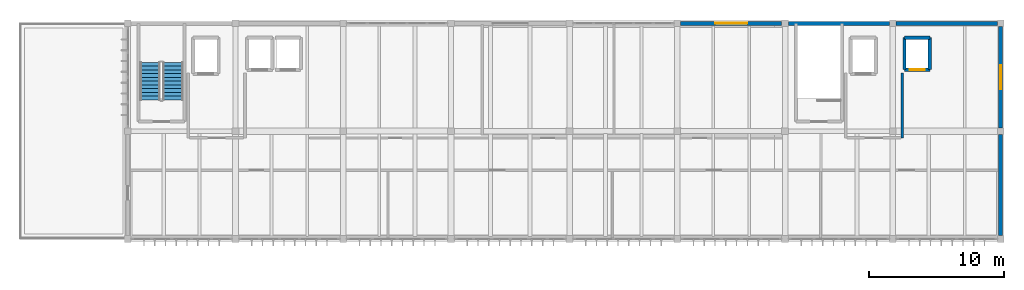
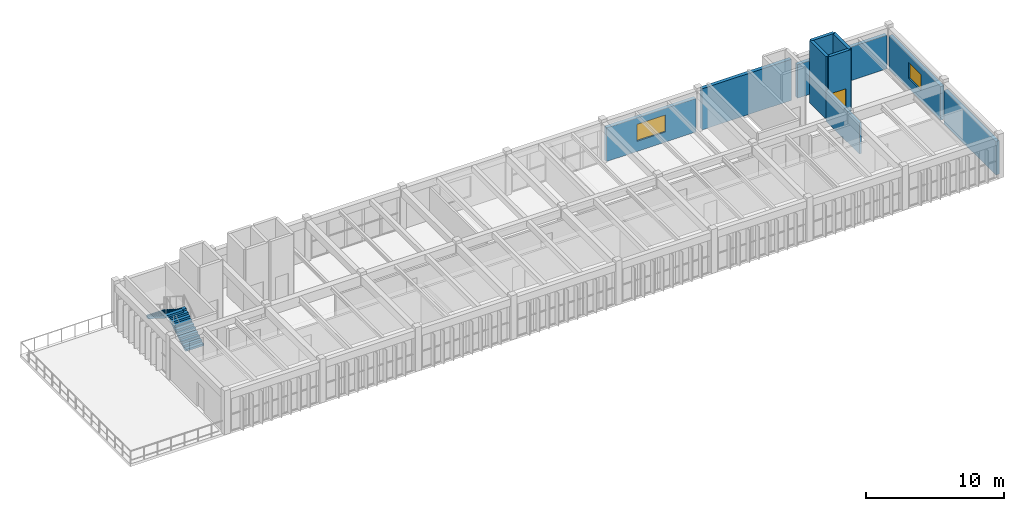
# One storey, part 10 of 12: 10 walls, 2 stair flights, 2 windows, 1 door, 3 openings, 1 element without a shape of its own.
"""IFC4 building model written with IfcOpenShell, lengths in metres."""

import ifcopenshell
import ifcopenshell.guid

model = None  # the IFC model being written
_history = None  # IfcOwnerHistory: only IFC2X3 demands one
_inside = {}  # id of a spatial element -> (the spatial element, [elements in it])
_under = {}  # id of a project, library or spatial element -> (it, [spatial elements below it])
_declared = {}  # id of a project -> (the project, [libraries it declares])
_typed = {}  # id of a type object -> (the type object, [elements of that type])
_made_of = {}  # id of a material, layer set ... -> (it, [elements and type objects made of it])


def new_model(schema):
    """Start an empty IFC model of exactly this schema.

    Asked for "IFC4X3", IfcOpenShell would pick the latest addendum, in which some entities
    have other attributes; the version numbers below select the first issue.
    IFC2X3 requires an IfcOwnerHistory on every rooted entity: one is made here for all.
    """
    global model, _history
    if schema == "IFC4X3":
        model = ifcopenshell.file(schema_version=(4, 3, 0, 0))
    else:
        model = ifcopenshell.file(schema=schema)
    _inside.clear()
    _under.clear()
    _declared.clear()
    _typed.clear()
    _made_of.clear()
    _history = None
    if model.schema == "IFC2X3":
        org = make("IfcOrganization", Name="unknown")
        user = make(
            "IfcPersonAndOrganization",
            ThePerson=make("IfcPerson", FamilyName="unknown"),
            TheOrganization=org,
        )
        app = make(
            "IfcApplication",
            ApplicationDeveloper=org,
            Version="unknown",
            ApplicationFullName="unknown",
            ApplicationIdentifier="unknown",
        )
        _history = make(
            "IfcOwnerHistory",
            OwningUser=user,
            OwningApplication=app,
            ChangeAction="ADDED",
            CreationDate=0,
        )
    return model


def make(cls, **values):
    """One entity of the class cls with the attributes given. An attribute that is None is left unset."""
    return model.create_entity(
        cls, **{name: value for name, value in values.items() if value is not None}
    )


def rooted(cls, **values):
    """An entity with a GlobalId (a new one), such as an element, a storey or a relation."""
    return make(cls, GlobalId=ifcopenshell.guid.new(), OwnerHistory=_history, **values)


def si_unit(unit_type, name, prefix=None):
    """IfcSIUnit, for example si_unit("LENGTHUNIT", "METRE", prefix="MILLI")."""
    return make("IfcSIUnit", UnitType=unit_type, Prefix=prefix, Name=name)


def assignment(units):
    """IfcUnitAssignment: the units of a project."""
    return None if units is None else make("IfcUnitAssignment", Units=units)


def point(xyz):
    """IfcCartesianPoint."""
    return None if xyz is None else make("IfcCartesianPoint", Coordinates=xyz)


def direction(xyz):
    """IfcDirection."""
    return None if xyz is None else make("IfcDirection", DirectionRatios=xyz)


def frame(location, z_axis=None, x_axis=None):
    """IfcAxis2Placement3D, a coordinate frame: its origin and axes. An axis left out is left unset."""
    return make(
        "IfcAxis2Placement3D",
        Location=point(location),
        Axis=direction(z_axis),
        RefDirection=direction(x_axis),
    )


def frame_2d(location, x_axis=None):
    """IfcAxis2Placement2D, a coordinate frame in the plane: its origin and x axis."""
    return make(
        "IfcAxis2Placement2D", Location=point(location), RefDirection=direction(x_axis)
    )


def origin():
    """The frame at (0, 0, 0) with its axes left unset."""
    return frame((0.0, 0.0, 0.0))


def place(relative_to, where):
    """IfcLocalPlacement: puts the frame where relative to a parent placement (None: the world)."""
    return make(
        "IfcLocalPlacement", PlacementRelTo=relative_to, RelativePlacement=where
    )


def context(
    kind, dimensions, precision=None, world=None, true_north=None, identifier=None
):
    """IfcGeometricRepresentationContext, for example the 3D "Model" context."""
    return make(
        "IfcGeometricRepresentationContext",
        ContextIdentifier=identifier,
        ContextType=kind,
        CoordinateSpaceDimension=dimensions,
        Precision=precision,
        WorldCoordinateSystem=world,
        TrueNorth=true_north,
    )


def subcontext(parent, identifier, kind, view, scale=None):
    """IfcGeometricRepresentationSubContext, for example "Body" below "Model"."""
    return make(
        "IfcGeometricRepresentationSubContext",
        ContextIdentifier=identifier,
        ContextType=kind,
        ParentContext=parent,
        TargetScale=scale,
        TargetView=view,
    )


def project(units=None, contexts=None):
    """IfcProject with its units and contexts."""
    return rooted(
        "IfcProject",
        Name="project",
        RepresentationContexts=contexts,
        UnitsInContext=assignment(units),
    )


def spatial(cls, under=None, at=None, **own):
    """A site, building, storey or space (cls), placed at a placement, below another one or the project."""
    s = rooted(cls, ObjectPlacement=at, **own)
    if under is not None:
        _under.setdefault(under.id(), (under, []))[1].append(s)
    return s


def polyline(points):
    """IfcPolyline through the points."""
    return make("IfcPolyline", Points=[point(p) for p in points])


def profile(cls, at=None, kind="AREA", **sizes):
    """A parametric profile (cls). Its sizes go by their IFC names, for example OverallWidth=200.0."""
    return make(cls, ProfileType=kind, Position=at, **sizes)


def rectangle(**sizes):
    """IfcRectangleProfileDef."""
    return profile("IfcRectangleProfileDef", **sizes)


def outline(outer, holes=None, kind="AREA"):
    """IfcArbitraryClosedProfileDef: a profile drawn as a closed curve; with holes, ...WithVoids."""
    if holes is None:
        return make("IfcArbitraryClosedProfileDef", ProfileType=kind, OuterCurve=outer)
    return make(
        "IfcArbitraryProfileDefWithVoids",
        ProfileType=kind,
        OuterCurve=outer,
        InnerCurves=holes,
    )


def extrude(swept, where, along, depth):
    """IfcExtrudedAreaSolid: the profile swept, set in the frame where, extruded along a direction by depth."""
    return make(
        "IfcExtrudedAreaSolid",
        SweptArea=swept,
        Position=where,
        ExtrudedDirection=direction(along),
        Depth=depth,
    )


def shape(context_of_items, identifier, shape_type, items):
    """IfcShapeRepresentation: the items that make up one representation, for example the "Body"."""
    return make(
        "IfcShapeRepresentation",
        ContextOfItems=context_of_items,
        RepresentationIdentifier=identifier,
        RepresentationType=shape_type,
        Items=items,
    )


def material(Name=None, Category=None):
    """IfcMaterial."""
    return make("IfcMaterial", Name=Name, Category=Category)


def layer(
    of_material, thickness, ventilated=None, Name=None, Category=None, Priority=None
):
    """IfcMaterialLayer: one layer of a wall or slab, of a material (None: an air gap)."""
    return make(
        "IfcMaterialLayer",
        Material=of_material,
        LayerThickness=thickness,
        IsVentilated=ventilated,
        Name=Name,
        Category=Category,
        Priority=Priority,
    )


def layer_set(layers, Name=None):
    """IfcMaterialLayerSet."""
    return make("IfcMaterialLayerSet", MaterialLayers=layers, LayerSetName=Name)


def made_of(thing, what):
    """Note that an element or type object is made of a material, layer set ...; save() writes the relation."""
    if what is not None:
        _made_of.setdefault(what.id(), (what, []))[1].append(thing)
    return thing


def type_object(cls, material=None, **own):
    """A type object (cls), such as IfcWallType, which elements share."""
    return made_of(rooted(cls, **own), material)


def element(
    cls,
    number,
    at=None,
    inside=None,
    cuts=None,
    type_object=None,
    material=None,
    context=None,
    identifier="Body",
    shape_type=None,
    held_by="IfcProductDefinitionShape",
    body=None,
    shapes=None,
    **own,
):
    """One element of the class cls, such as IfcWall. Its Tag is "e" and its number.

    at: its placement. inside: the storey or other place that contains it. cuts: it is an
    opening in that element (IfcRelVoidsElement). A single representation is given by context,
    identifier, shape_type and body (its items); several are given by shapes. held_by: the class
    of the entity that holds the representations. save() writes the other relations.
    """
    e = rooted(cls, Tag="e%d" % number, ObjectPlacement=at, **own)
    if body is not None:
        shapes = [shape(context, identifier, shape_type, body)]
    if shapes is not None:
        e.Representation = make(held_by, Representations=shapes)
    if inside is not None:
        _inside.setdefault(inside.id(), (inside, []))[1].append(e)
    if cuts is not None:
        rooted(
            "IfcRelVoidsElement", RelatingBuildingElement=cuts, RelatedOpeningElement=e
        )
    if type_object is not None:
        _typed.setdefault(type_object.id(), (type_object, []))[1].append(e)
    return made_of(e, material)


def fill(opening, filler):
    """IfcRelFillsElement: the door or window that sits in an opening."""
    return rooted(
        "IfcRelFillsElement",
        RelatingOpeningElement=opening,
        RelatedBuildingElement=filler,
    )


def aggregate(whole, parts):
    """IfcRelAggregates: a whole, such as a stair, and the parts it consists of."""
    return rooted("IfcRelAggregates", RelatingObject=whole, RelatedObjects=parts)


def save(model, path):
    """Write the relations noted so far, then the file.

    IfcRelAggregates (storeys below a building ...), IfcRelContainedInSpatialStructure (elements
    in a storey), IfcRelDefinesByType, IfcRelAssociatesMaterial and IfcRelDeclares: one each for
    every whole, place, type object, material and project.
    """
    for whole, parts in _under.values():
        aggregate(whole, parts)
    for where, things in _inside.values():
        rooted(
            "IfcRelContainedInSpatialStructure",
            RelatedElements=things,
            RelatingStructure=where,
        )
    for kind, things in _typed.values():
        rooted("IfcRelDefinesByType", RelatedObjects=things, RelatingType=kind)
    for what, things in _made_of.values():
        rooted("IfcRelAssociatesMaterial", RelatedObjects=things, RelatingMaterial=what)
    for by, libraries in _declared.values():
        rooted("IfcRelDeclares", RelatingContext=by, RelatedDefinitions=libraries)
    model.write(path)


model = new_model("IFC4")

# Units and contexts
model_context = context("Model", 3, precision=1e-05, world=origin(), true_north=direction((0.0, 1.0)))
body_context = subcontext(model_context, "Body", "Model", "MODEL_VIEW")
ifc_project = project(units=[si_unit("LENGTHUNIT", "METRE"), si_unit("AREAUNIT", "SQUARE_METRE"), si_unit("VOLUMEUNIT", "CUBIC_METRE"), si_unit("PLANEANGLEUNIT", "RADIAN"), si_unit("MASSUNIT", "GRAM", prefix="KILO")], contexts=[model_context])

# Site, building, storey
site_placement = place(None, origin())
site = spatial("IfcSite", under=ifc_project, at=site_placement, CompositionType="ELEMENT")
building_placement = place(site_placement, origin())
building = spatial("IfcBuilding", under=site, at=building_placement, Name="Tlaxcora Railside Police Headquarters", CompositionType="ELEMENT")
storey_placement = place(building_placement, frame((0.0, 0.0, 29.699951171875)))
storey = spatial("IfcBuildingStorey", under=building, at=storey_placement, Name="L07", CompositionType="ELEMENT", Elevation=29.699951171875)

# Wall
ifc_material_1 = material(Name="Pressed clay brick masonry", Category="masonry")
ifc_layer_1 = layer(ifc_material_1, 0.199951171875, Name="Pressed clay brick masonry")
ifc_layer_set_1 = layer_set([ifc_layer_1], Name="Pressed clay brick masonry")
wall_type_1 = type_object("IfcWallType", Name="Interior Partition Wall IW-60", PredefinedType="PARTITIONING", material=ifc_layer_set_1)
wall_1_placement = place(storey_placement, frame((78.699951171875, 84.300048828125, 0.0), z_axis=(0.0, 0.0, 1.0), x_axis=(0.0, 1.0, 0.0)))
element("IfcWall", 1, at=wall_1_placement, inside=storey, type_object=wall_type_1, Name="V5 L07 interior partition 254", PredefinedType="PARTITIONING", context=body_context, shape_type="SweptSolid", body=[
    extrude(rectangle(XDim=4.800048828125, YDim=0.199951171875, at=frame_2d((2.39990234375, 0.0))), origin(), (0.0, 0.0, 1.0), 2.76513671875),
])

# Wall, opening, door
ifc_material_2 = material(Name="Concrete C40/50", Category="concrete")
ifc_layer_2 = layer(ifc_material_2, 0.25, Name="Concrete C40/50")
ifc_layer_set_2 = layer_set([ifc_layer_2], Name="Concrete C40/50")
wall_type_2 = type_object("IfcWallType", Name="Shear Core Wall IW-13", PredefinedType="SHEAR", material=ifc_layer_set_2)
wall_2_placement = place(storey_placement, frame((78.860107421875, 89.360107421875, 0.0), z_axis=(0.0, 0.0, 1.0), x_axis=(1.0, 0.0, 0.0)))
wall_2 = element("IfcWall", 2, at=wall_2_placement, inside=storey, type_object=wall_type_2, Name="Lift PL-03 L07 shaft wall S", PredefinedType="SHEAR", context=body_context, shape_type="SweptSolid", body=[
    extrude(rectangle(XDim=1.8798828125, YDim=0.25, at=frame_2d((0.93994140625, 0.0))), origin(), (0.0, 0.0, 1.0), 5.52001953125),
])
opening_1_placement = place(wall_2_placement, frame((0.389892578125, 0.0, 0.0)))
opening_1 = element("IfcOpeningElement", 3, at=opening_1_placement, cuts=wall_2, Name="Opening LD-PL-03-L07", PredefinedType="OPENING", context=body_context, shape_type="SweptSolid", body=[
    extrude(rectangle(XDim=1.10009765625, YDim=2.199951171875, at=frame_2d((0.550048828125, 1.10009765625))), frame((0.0, 0.135009765625, 0.0), z_axis=(0.0, -1.0, 0.0), x_axis=(1.0, 0.0, 0.0)), (0.0, 0.0, 1.0), 0.27001953125),
])
ifc_material_3 = material(Name="Steel ASTM A992 Grade 50", Category="steel")
door_type = type_object("IfcDoorType", Name="Swing or Sliding Personnel Door ID-15", OperationType="NOTDEFINED", PredefinedType="DOOR", material=ifc_material_3)
door_placement = place(opening_1_placement, origin())
door = element("IfcDoor", 4, at=door_placement, inside=storey, type_object=door_type, Name="Lift PL-03 L07 sliding landing door", OperationType="DOUBLE_DOOR_SLIDING", OverallHeight=2.199951171875, OverallWidth=1.10009765625, PredefinedType="DOOR", context=body_context, shape_type="SweptSolid", body=[
    extrude(rectangle(XDim=1.10009765625, YDim=2.199951171875, at=frame_2d((0.550048828125, 1.10009765625))), frame((0.0, 0.02490234375, 0.0), z_axis=(0.0, -1.0, 0.0), x_axis=(1.0, 0.0, 0.0)), (0.0, 0.0, 1.0), 0.050048828125),
])
fill(opening_1, door)

# Walls
wall_3_placement = place(storey_placement, frame((80.739990234375, 89.360107421875, 0.0), z_axis=(0.0, 0.0, 1.0), x_axis=(0.0, 1.0, 0.0)))
element("IfcWall", 5, at=wall_3_placement, inside=storey, type_object=wall_type_2, Name="Lift PL-03 L07 shaft wall E", PredefinedType="SHEAR", context=body_context, shape_type="SweptSolid", body=[
    extrude(rectangle(XDim=2.3798828125, YDim=0.25, at=frame_2d((1.18994140625, 0.0))), origin(), (0.0, 0.0, 1.0), 5.52001953125),
])
wall_4_placement = place(storey_placement, frame((80.739990234375, 91.739990234375, 0.0), z_axis=(0.0, 0.0, 1.0), x_axis=(-1.0, 0.0, 0.0)))
element("IfcWall", 6, at=wall_4_placement, inside=storey, type_object=wall_type_2, Name="Lift PL-03 L07 shaft wall N", PredefinedType="SHEAR", context=body_context, shape_type="SweptSolid", body=[
    extrude(rectangle(XDim=1.8798828125, YDim=0.25, at=frame_2d((0.93994140625, 0.0))), origin(), (0.0, 0.0, 1.0), 5.52001953125),
])
wall_5_placement = place(storey_placement, frame((78.860107421875, 91.739990234375, 0.0), z_axis=(0.0, 0.0, 1.0), x_axis=(0.0, -1.0, 0.0)))
element("IfcWall", 7, at=wall_5_placement, inside=storey, type_object=wall_type_2, Name="Lift PL-03 L07 shaft wall W", PredefinedType="SHEAR", context=body_context, shape_type="SweptSolid", body=[
    extrude(rectangle(XDim=2.3798828125, YDim=0.25, at=frame_2d((1.18994140625, 0.0))), origin(), (0.0, 0.0, 1.0), 5.52001953125),
])
ifc_layer_3 = layer(ifc_material_1, 0.294921875, Name="Pressed clay brick masonry")
ifc_layer_set_3 = layer_set([ifc_layer_3], Name="Pressed clay brick masonry")
wall_type_3 = type_object("IfcWallType", Name="Structural Bearing Wall EW-74", PredefinedType="SOLIDWALL", material=ifc_layer_set_3)
wall_6_placement = place(storey_placement, frame((86.0, 77.050048828125, 0.0), z_axis=(0.0, 0.0, 1.0), x_axis=(0.0, 1.0, 0.0)))
element("IfcWall", 8, at=wall_6_placement, inside=storey, type_object=wall_type_3, Name="V5 L07 exterior wall 1.0", PredefinedType="SOLIDWALL", context=body_context, shape_type="SweptSolid", body=[
    extrude(rectangle(XDim=7.5, YDim=0.294921875, at=frame_2d((3.75, 0.0))), origin(), (0.0, 0.0, 1.0), 2.97998046875),
])

# Wall, opening, window
wall_7_placement = place(storey_placement, frame((86.0, 85.050048828125, 0.0), z_axis=(0.0, 0.0, 1.0), x_axis=(0.0, 1.0, 0.0)))
wall_7 = element("IfcWall", 9, at=wall_7_placement, inside=storey, type_object=wall_type_3, Name="V5 L07 exterior wall 1.1", PredefinedType="SOLIDWALL", context=body_context, shape_type="SweptSolid", body=[
    extrude(rectangle(XDim=7.5, YDim=0.294921875, at=frame_2d((3.75, 0.0))), origin(), (0.0, 0.0, 1.0), 2.97998046875),
])
opening_2_placement = place(wall_7_placement, frame((2.85009765625, 0.0, 0.89990234375)))
opening_2 = element("IfcOpeningElement", 10, at=opening_2_placement, cuts=wall_7, Name="Opening WN-70", PredefinedType="OPENING", context=body_context, shape_type="SweptSolid", body=[
    extrude(rectangle(XDim=1.800048828125, YDim=1.39990234375, at=frame_2d((0.89990234375, 0.699951171875))), frame((0.0, 0.157470703125, 0.0), z_axis=(0.0, -1.0, 0.0), x_axis=(1.0, 0.0, 0.0)), (0.0, 0.0, 1.0), 0.31494140625),
])
ifc_material_4 = material(Name="Thermally broken low-E insulated glazing", Category="glass")
window_type_1 = type_object("IfcWindowType", Name="Exterior Framed or Circular Window WN-70", PartitioningType="SINGLE_PANEL", PredefinedType="WINDOW", material=ifc_material_4)
window_1_placement = place(opening_2_placement, origin())
window_1 = element("IfcWindow", 11, at=window_1_placement, inside=storey, type_object=window_type_1, Name="V5 L07 window 153", OverallHeight=1.39990234375, OverallWidth=1.800048828125, PartitioningType="SINGLE_PANEL", PredefinedType="WINDOW", context=body_context, shape_type="SweptSolid", body=[
    extrude(rectangle(XDim=1.800048828125, YDim=1.39990234375, at=frame_2d((0.89990234375, 0.699951171875))), frame((0.0, 0.030029296875, 0.0), z_axis=(0.0, -1.0, 0.0), x_axis=(1.0, 0.0, 0.0)), (0.0, 0.0, 1.0), 0.06005859375),
])
fill(opening_2, window_1)

# Walls
wall_8_placement = place(storey_placement, frame((85.75, 92.800048828125, 0.0), z_axis=(0.0, 0.0, 1.0), x_axis=(-1.0, 0.0, 0.0)))
element("IfcWall", 12, at=wall_8_placement, inside=storey, type_object=wall_type_3, Name="V5 L07 exterior wall 2.0", PredefinedType="SOLIDWALL", context=body_context, shape_type="SweptSolid", body=[
    extrude(rectangle(XDim=7.5, YDim=0.294921875, at=frame_2d((3.75, 0.0))), origin(), (0.0, 0.0, 1.0), 2.97998046875),
])
wall_9_placement = place(storey_placement, frame((77.75, 92.800048828125, 0.0), z_axis=(0.0, 0.0, 1.0), x_axis=(-1.0, 0.0, 0.0)))
element("IfcWall", 13, at=wall_9_placement, inside=storey, type_object=wall_type_3, Name="V5 L07 exterior wall 2.1", PredefinedType="SOLIDWALL", context=body_context, shape_type="SweptSolid", body=[
    extrude(rectangle(XDim=7.5, YDim=0.294921875, at=frame_2d((3.75, 0.0))), origin(), (0.0, 0.0, 1.0), 3.64013671875),
])

# Wall, opening, window
wall_10_placement = place(storey_placement, frame((69.75, 92.800048828125, 0.0), z_axis=(0.0, 0.0, 1.0), x_axis=(-1.0, 0.0, 0.0)))
wall_10 = element("IfcWall", 14, at=wall_10_placement, inside=storey, type_object=wall_type_3, Name="V5 L07 exterior wall 2.2", PredefinedType="SOLIDWALL", context=body_context, shape_type="SweptSolid", body=[
    extrude(rectangle(XDim=7.5, YDim=0.294921875, at=frame_2d((3.75, 0.0))), origin(), (0.0, 0.0, 1.0), 2.97998046875),
])
opening_3_placement = place(wall_10_placement, frame((2.550048828125, 0.0, 0.89990234375)))
opening_3 = element("IfcOpeningElement", 15, at=opening_3_placement, cuts=wall_10, Name="Opening WN-59", PredefinedType="OPENING", context=body_context, shape_type="SweptSolid", body=[
    extrude(rectangle(XDim=2.39990234375, YDim=1.5, at=frame_2d((1.199951171875, 0.75))), frame((0.0, 0.157470703125, 0.0), z_axis=(0.0, -1.0, 0.0), x_axis=(1.0, 0.0, 0.0)), (0.0, 0.0, 1.0), 0.31494140625),
])
window_type_2 = type_object("IfcWindowType", Name="Exterior Framed or Circular Window WN-59", PartitioningType="SINGLE_PANEL", PredefinedType="WINDOW", material=ifc_material_4)
window_2_placement = place(opening_3_placement, origin())
window_2 = element("IfcWindow", 16, at=window_2_placement, inside=storey, type_object=window_type_2, Name="V5 L07 window 154", OverallHeight=1.5, OverallWidth=2.39990234375, PartitioningType="SINGLE_PANEL", PredefinedType="WINDOW", context=body_context, shape_type="SweptSolid", body=[
    extrude(rectangle(XDim=2.39990234375, YDim=1.5, at=frame_2d((1.199951171875, 0.75))), frame((0.0, 0.030029296875, 0.0), z_axis=(0.0, -1.0, 0.0), x_axis=(1.0, 0.0, 0.0)), (0.0, 0.0, 1.0), 0.06005859375),
])
fill(opening_3, window_2)

# Stair, stair flights
stair_type = type_object("IfcStairType", Name="Half-Turn Dog-Leg Stair ST-30", PredefinedType="HALF_TURN_STAIR", material=ifc_material_2)
stair_placement = place(storey_placement, origin())
stair = element("IfcStair", 17, at=stair_placement, inside=storey, type_object=stair_type, Name="L07 ST1", PredefinedType="HALF_TURN_STAIR")
stair_flight_type = type_object("IfcStairFlightType", Name="Straight Stair Flight SF-59", PredefinedType="STRAIGHT", material=ifc_material_2)
stair_flight_1_placement = place(storey_placement, frame((24.56005859375, 87.110107421875, 0.0), z_axis=(0.0, 0.0, 1.0), x_axis=(0.0, 1.0, 0.0)))
stair_flight_1 = element("IfcStairFlight", 18, at=stair_flight_1_placement, type_object=stair_flight_type, Name="ST1 flight 1", NumberOfRisers=11, NumberOfTreads=10, PredefinedType="STRAIGHT", RiserHeight=0.177272727, TreadLength=0.28, context=body_context, shape_type="SweptSolid", body=[
    extrude(outline(polyline([(0.0, 0.0), (0.0, 0.17724609375), (0.280029296875, 0.17724609375), (0.280029296875, 0.3544921875), (0.56005859375, 0.3544921875), (0.56005859375, 0.53173828125), (0.840087890625, 0.53173828125), (0.840087890625, 0.708984375), (1.1201171875, 0.708984375), (1.1201171875, 0.886474609375), (1.39990234375, 0.886474609375), (1.39990234375, 1.063720703125), (1.679931640625, 1.063720703125), (1.679931640625, 1.240966796875), (1.9599609375, 1.240966796875), (1.9599609375, 1.418212890625), (2.239990234375, 1.418212890625), (2.239990234375, 1.595458984375), (2.52001953125, 1.595458984375), (2.52001953125, 1.772705078125), (2.800048828125, 1.772705078125), (2.800048828125, 1.949951171875), (2.800048828125, 1.59521484375), (0.2802734375, 0.0), (0.0, 0.0)])), frame((0.0, 0.75, 0.0), z_axis=(0.0, -1.0, 0.0), x_axis=(1.0, 0.0, 0.0)), (0.0, 0.0, 1.0), 1.5),
])
stair_flight_2_placement = place(storey_placement, frame((22.860107421875, 89.909912109375, 1.949951171875), z_axis=(0.0, 0.0, 1.0), x_axis=(0.0, -1.0, 0.0)))
stair_flight_2 = element("IfcStairFlight", 19, at=stair_flight_2_placement, type_object=stair_flight_type, Name="ST1 flight 2", NumberOfRisers=11, NumberOfTreads=10, PredefinedType="STRAIGHT", RiserHeight=0.177272727, TreadLength=0.28, context=body_context, shape_type="SweptSolid", body=[
    extrude(outline(polyline([(0.0, 0.0), (0.0, 0.17724609375), (0.280029296875, 0.17724609375), (0.280029296875, 0.3544921875), (0.56005859375, 0.3544921875), (0.56005859375, 0.53173828125), (0.840087890625, 0.53173828125), (0.840087890625, 0.708984375), (1.1201171875, 0.708984375), (1.1201171875, 0.886474609375), (1.39990234375, 0.886474609375), (1.39990234375, 1.063720703125), (1.679931640625, 1.063720703125), (1.679931640625, 1.240966796875), (1.9599609375, 1.240966796875), (1.9599609375, 1.418212890625), (2.239990234375, 1.418212890625), (2.239990234375, 1.595458984375), (2.52001953125, 1.595458984375), (2.52001953125, 1.772705078125), (2.800048828125, 1.772705078125), (2.800048828125, 1.949951171875), (2.800048828125, 1.59521484375), (0.2802734375, 0.0), (0.0, 0.0)])), frame((0.0, 0.75, 0.0), z_axis=(0.0, -1.0, 0.0), x_axis=(1.0, 0.0, 0.0)), (0.0, 0.0, 1.0), 1.5),
])
aggregate(stair, [stair_flight_1, stair_flight_2])

save(model, "model.ifc")
